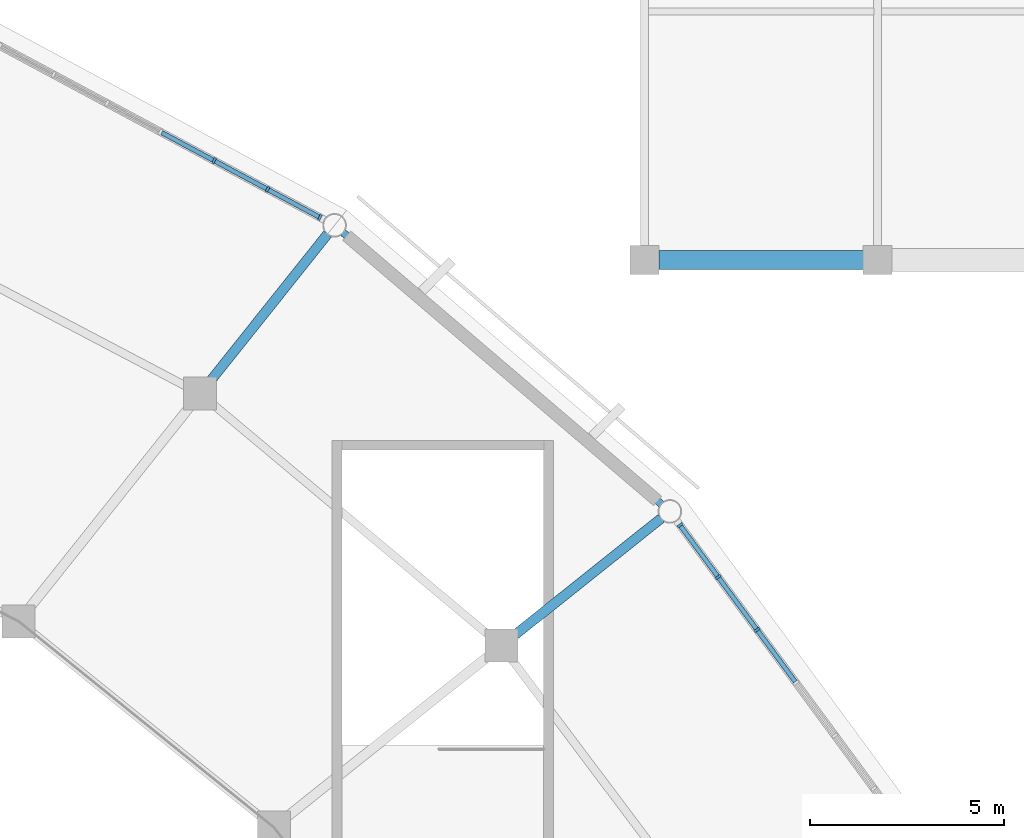
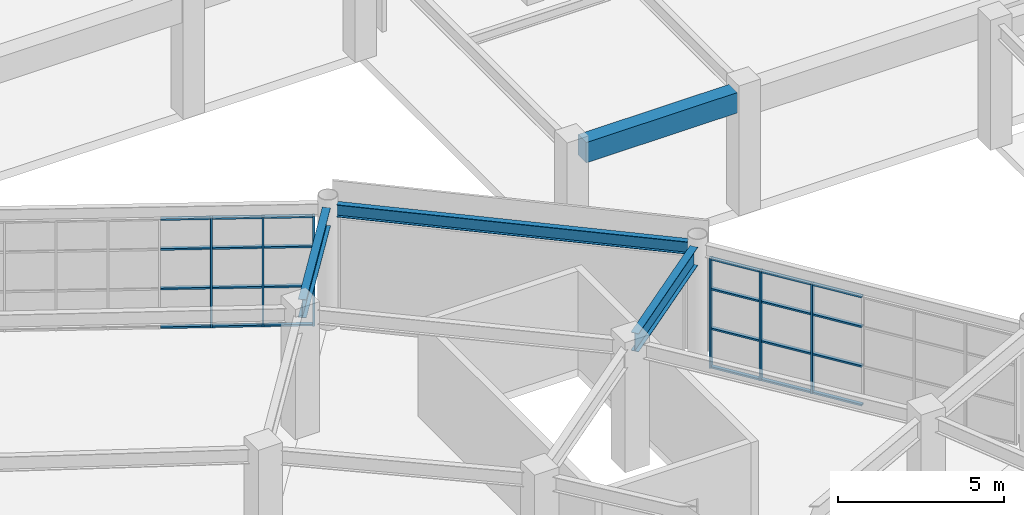
# One storey, part 49 of 112: 30 members, 4 beams, 2 elements without a shape of their own.
"""IFC4 building model written with IfcOpenShell, lengths in metres."""

from ifc_helpers import new_model, si_unit, direction, frame, origin, origin_2d, place, context, subcontext, project, spatial, rectangle, i_section, extrude, material, material_profile, profile_set, type_object, element, aggregate, save


model = new_model("IFC4")

# Units and contexts
model_context = context("Model", 3, precision=1e-05, world=origin(), true_north=direction((0.0, 1.0)))
body_context = subcontext(model_context, "Body", "Model", "MODEL_VIEW")
ifc_project = project(units=[si_unit("LENGTHUNIT", "METRE"), si_unit("AREAUNIT", "SQUARE_METRE"), si_unit("VOLUMEUNIT", "CUBIC_METRE"), si_unit("PLANEANGLEUNIT", "RADIAN"), si_unit("MASSUNIT", "GRAM", prefix="KILO")], contexts=[model_context])

# Site, building, storey
site_placement = place(None, origin())
site = spatial("IfcSite", under=ifc_project, at=site_placement, CompositionType="ELEMENT")
building_placement = place(site_placement, origin())
building = spatial("IfcBuilding", under=site, at=building_placement, Name="Cuetzalor Civic Arena", CompositionType="ELEMENT")
storey_placement = place(building_placement, frame((0.0, 0.0, 11.39990234375)))
storey = spatial("IfcBuildingStorey", under=building, at=storey_placement, Name="L02", CompositionType="ELEMENT", Elevation=11.39990234375)

# Beam
ifc_material_1 = material(Name="Concrete C40/50", Category="concrete")
ifc_material_profile_1 = material_profile(ifc_material_1, rectangle(XDim=0.5, YDim=0.75, at=origin_2d()), Name="RC 500x750")
ifc_profile_set_1 = profile_set([ifc_material_profile_1], Name="Concrete C40/50")
beam_type_1 = type_object("IfcBeamType", Name="ConcreteFrameBeam_500x750", PredefinedType="BEAM", material=ifc_profile_set_1)
beam_1_placement = place(storey_placement, frame((42.364990234375, 35.5, 4.10498046875), z_axis=(1.0, 0.0, 0.0), x_axis=(0.0, 1.0, 0.0)))
element("IfcBeam", 1, at=beam_1_placement, inside=storey, type_object=beam_type_1, Name="Frame Girder V5-L02-X0781", PredefinedType="BEAM", context=body_context, shape_type="SweptSolid", body=[
    extrude(rectangle(XDim=0.5, YDim=0.75, at=origin_2d()), origin(), (0.0, 0.0, 1.0), 5.27001953125),
])

# Curtain wall, members
ifc_material_2 = material(Name="Anodised dark bronze aluminium and low-E solar glass", Category="aluminium")
curtain_wall_type_1 = type_object("IfcCurtainWallType", Name="UnitisedCW_10150x4050", PredefinedType="USERDEFINED", material=ifc_material_2)
curtain_wall_1_placement = place(storey_placement, origin())
curtain_wall_1 = element("IfcCurtainWall", 2, at=curtain_wall_1_placement, inside=storey, type_object=curtain_wall_type_1, Name="Drum Triangle Foyer Curtain Wall L02-033", ObjectType="UNITISED CURTAIN WALL", PredefinedType="USERDEFINED")
ifc_material_3 = material(Name="Anodised dark bronze aluminium", Category="aluminium")
ifc_material_profile_2 = material_profile(ifc_material_3, rectangle(XDim=0.06494140625, YDim=0.14990234375, at=origin_2d()), Name="ALU MULLION 65x150")
ifc_profile_set_2 = profile_set([ifc_material_profile_2], Name="Anodised dark bronze aluminium")
member_type_1 = type_object("IfcMemberType", Name="CurtainWallMullion_60x150", PredefinedType="MULLION", material=ifc_profile_set_2)
member_1_placement = place(storey_placement, frame((42.910400390625, 28.66845703125, 0.0), z_axis=(0.0, 0.0, 1.0), x_axis=(0.59292931222, -0.805254513002, 0.0)))
member_1 = element("IfcMember", 3, at=member_1_placement, type_object=member_type_1, Name="CW-12 mullion 1", PredefinedType="MULLION", context=body_context, shape_type="SweptSolid", body=[
    extrude(rectangle(XDim=0.06494140625, YDim=0.14990234375, at=origin_2d()), origin(), (0.0, 0.0, 1.0), 4.052978515625),
])
member_2_placement = place(storey_placement, frame((43.8935546875, 27.333251953125, 0.0), z_axis=(0.0, 0.0, 1.0), x_axis=(0.59292931222, -0.805254513002, 0.0)))
member_2 = element("IfcMember", 4, at=member_2_placement, type_object=member_type_1, Name="CW-12 mullion 2", PredefinedType="MULLION", context=body_context, shape_type="SweptSolid", body=[
    extrude(rectangle(XDim=0.06494140625, YDim=0.14990234375, at=origin_2d()), origin(), (0.0, 0.0, 1.0), 4.052978515625),
])
member_3_placement = place(storey_placement, frame((44.89599609375, 25.9716796875, 0.0), z_axis=(0.0, 0.0, 1.0), x_axis=(0.59292931222, -0.805254513002, 0.0)))
member_3 = element("IfcMember", 5, at=member_3_placement, type_object=member_type_1, Name="CW-12 mullion 3", PredefinedType="MULLION", context=body_context, shape_type="SweptSolid", body=[
    extrude(rectangle(XDim=0.06494140625, YDim=0.14990234375, at=origin_2d()), origin(), (0.0, 0.0, 1.0), 4.052978515625),
])

ifc_material_4 = material(Name="Anodised dark bronze aluminium and low-E solar glass", Category="aluminium")
curtain_wall_type_2 = type_object("IfcCurtainWallType", Name="UnitisedCW_10950x4050", PredefinedType="USERDEFINED", material=ifc_material_4)
curtain_wall_2_placement = place(storey_placement, origin())
curtain_wall_2 = element("IfcCurtainWall", 6, at=curtain_wall_2_placement, inside=storey, type_object=curtain_wall_type_2, Name="Drum Triangle Foyer Curtain Wall L02-034", ObjectType="UNITISED CURTAIN WALL", PredefinedType="USERDEFINED")
member_4_placement = place(storey_placement, frame((30.9072265625, 38.058837890625, 0.0), z_axis=(0.0, 0.0, 1.0), x_axis=(0.881306344124, -0.472545371163, 0.0)))
member_4 = element("IfcMember", 7, at=member_4_placement, type_object=member_type_1, Name="CW-13 mullion 6", PredefinedType="MULLION", context=body_context, shape_type="SweptSolid", body=[
    extrude(rectangle(XDim=0.06494140625, YDim=0.14990234375, at=origin_2d()), origin(), (0.0, 0.0, 1.0), 4.052978515625),
])
member_5_placement = place(storey_placement, frame((32.28515625, 37.31982421875, 0.0), z_axis=(0.0, 0.0, 1.0), x_axis=(0.881306344124, -0.472545371163, 0.0)))
member_5 = element("IfcMember", 8, at=member_5_placement, type_object=member_type_1, Name="CW-13 mullion 7", PredefinedType="MULLION", context=body_context, shape_type="SweptSolid", body=[
    extrude(rectangle(XDim=0.06494140625, YDim=0.14990234375, at=origin_2d()), origin(), (0.0, 0.0, 1.0), 4.052978515625),
])
member_6_placement = place(storey_placement, frame((33.634765625, 36.59619140625, 0.0), z_axis=(0.0, 0.0, 1.0), x_axis=(0.881306344124, -0.472545371163, 0.0)))
member_6 = element("IfcMember", 9, at=member_6_placement, type_object=member_type_1, Name="CW-13 mullion 8", PredefinedType="MULLION", context=body_context, shape_type="SweptSolid", body=[
    extrude(rectangle(XDim=0.06494140625, YDim=0.14990234375, at=origin_2d()), origin(), (0.0, 0.0, 1.0), 4.052978515625),
])

# Member
ifc_material_5 = material(Name="Anodised dark bronze aluminium", Category="aluminium")
ifc_material_profile_3 = material_profile(ifc_material_5, rectangle(XDim=0.1201171875, YDim=0.06494140625, at=origin_2d()), Name="ALU TRANSOM 65x120")
ifc_profile_set_3 = profile_set([ifc_material_profile_3], Name="Anodised dark bronze aluminium")
member_type_2 = type_object("IfcMemberType", Name="CurtainWallTransom_60x120", PredefinedType="USERDEFINED", material=ifc_profile_set_3)
member_7_placement = place(storey_placement, frame((42.9296875, 28.642333984375, 0.03271484375), z_axis=(0.59289058609, -0.805283026597, 0.0), x_axis=(0.805283026597, 0.59289058609, 0.0)))
member_7 = element("IfcMember", 10, at=member_7_placement, type_object=member_type_2, Name="CW-12 transom 1.1", ObjectType="TRANSOM", PredefinedType="USERDEFINED", context=body_context, shape_type="SweptSolid", body=[
    extrude(rectangle(XDim=0.1201171875, YDim=0.06494140625, at=origin_2d()), origin(), (0.0, 0.0, 1.0), 1.59326171875),
])

member_8_placement = place(storey_placement, frame((42.9296875, 28.642333984375, 1.458984375), z_axis=(0.59289058609, -0.805283026597, 0.0), x_axis=(0.805283026597, 0.59289058609, 0.0)))
member_8 = element("IfcMember", 11, at=member_8_placement, type_object=member_type_2, Name="CW-12 transom 1.2", ObjectType="TRANSOM", PredefinedType="USERDEFINED", context=body_context, shape_type="SweptSolid", body=[
    extrude(rectangle(XDim=0.1201171875, YDim=0.06494140625, at=origin_2d()), origin(), (0.0, 0.0, 1.0), 1.59326171875),
])

member_9_placement = place(storey_placement, frame((42.9296875, 28.642333984375, 2.918212890625), z_axis=(0.59289058609, -0.805283026597, 0.0), x_axis=(0.805283026597, 0.59289058609, 0.0)))
member_9 = element("IfcMember", 12, at=member_9_placement, type_object=member_type_2, Name="CW-12 transom 1.3", ObjectType="TRANSOM", PredefinedType="USERDEFINED", context=body_context, shape_type="SweptSolid", body=[
    extrude(rectangle(XDim=0.1201171875, YDim=0.06494140625, at=origin_2d()), origin(), (0.0, 0.0, 1.0), 1.59326171875),
])

member_10_placement = place(storey_placement, frame((42.9296875, 28.642333984375, 4.0205078125), z_axis=(0.59289058609, -0.805283026597, 0.0), x_axis=(0.805283026597, 0.59289058609, 0.0)))
member_10 = element("IfcMember", 13, at=member_10_placement, type_object=member_type_2, Name="CW-12 transom 1.4", ObjectType="TRANSOM", PredefinedType="USERDEFINED", context=body_context, shape_type="SweptSolid", body=[
    extrude(rectangle(XDim=0.1201171875, YDim=0.06494140625, at=origin_2d()), origin(), (0.0, 0.0, 1.0), 1.59326171875),
])

member_11_placement = place(storey_placement, frame((43.912841796875, 27.30712890625, 0.03271484375), z_axis=(0.592912120819, -0.805267171183, 0.0), x_axis=(0.805267171183, 0.592912120819, 0.0)))
member_11 = element("IfcMember", 14, at=member_11_placement, type_object=member_type_2, Name="CW-12 transom 2.1", ObjectType="TRANSOM", PredefinedType="USERDEFINED", context=body_context, shape_type="SweptSolid", body=[
    extrude(rectangle(XDim=0.1201171875, YDim=0.06494140625, at=origin_2d()), origin(), (0.0, 0.0, 1.0), 1.625732421875),
])

member_12_placement = place(storey_placement, frame((43.912841796875, 27.30712890625, 1.458984375), z_axis=(0.592912120819, -0.805267171183, 0.0), x_axis=(0.805267171183, 0.592912120819, 0.0)))
member_12 = element("IfcMember", 15, at=member_12_placement, type_object=member_type_2, Name="CW-12 transom 2.2", ObjectType="TRANSOM", PredefinedType="USERDEFINED", context=body_context, shape_type="SweptSolid", body=[
    extrude(rectangle(XDim=0.1201171875, YDim=0.06494140625, at=origin_2d()), origin(), (0.0, 0.0, 1.0), 1.625732421875),
])

member_13_placement = place(storey_placement, frame((43.912841796875, 27.30712890625, 2.918212890625), z_axis=(0.592912120819, -0.805267171183, 0.0), x_axis=(0.805267171183, 0.592912120819, 0.0)))
member_13 = element("IfcMember", 16, at=member_13_placement, type_object=member_type_2, Name="CW-12 transom 2.3", ObjectType="TRANSOM", PredefinedType="USERDEFINED", context=body_context, shape_type="SweptSolid", body=[
    extrude(rectangle(XDim=0.1201171875, YDim=0.06494140625, at=origin_2d()), origin(), (0.0, 0.0, 1.0), 1.625732421875),
])

member_14_placement = place(storey_placement, frame((43.912841796875, 27.30712890625, 4.0205078125), z_axis=(0.592912120819, -0.805267171183, 0.0), x_axis=(0.805267171183, 0.592912120819, 0.0)))
member_14 = element("IfcMember", 17, at=member_14_placement, type_object=member_type_2, Name="CW-12 transom 2.4", ObjectType="TRANSOM", PredefinedType="USERDEFINED", context=body_context, shape_type="SweptSolid", body=[
    extrude(rectangle(XDim=0.1201171875, YDim=0.06494140625, at=origin_2d()), origin(), (0.0, 0.0, 1.0), 1.625732421875),
])

member_15_placement = place(storey_placement, frame((44.915283203125, 25.945556640625, 0.03271484375), z_axis=(0.592912120819, -0.805267171183, 0.0), x_axis=(0.805267171183, 0.592912120819, 0.0)))
member_15 = element("IfcMember", 18, at=member_15_placement, type_object=member_type_2, Name="CW-12 transom 3.1", ObjectType="TRANSOM", PredefinedType="USERDEFINED", context=body_context, shape_type="SweptSolid", body=[
    extrude(rectangle(XDim=0.1201171875, YDim=0.06494140625, at=origin_2d()), origin(), (0.0, 0.0, 1.0), 1.625732421875),
])

member_16_placement = place(storey_placement, frame((44.915283203125, 25.945556640625, 1.458984375), z_axis=(0.592912120819, -0.805267171183, 0.0), x_axis=(0.805267171183, 0.592912120819, 0.0)))
member_16 = element("IfcMember", 19, at=member_16_placement, type_object=member_type_2, Name="CW-12 transom 3.2", ObjectType="TRANSOM", PredefinedType="USERDEFINED", context=body_context, shape_type="SweptSolid", body=[
    extrude(rectangle(XDim=0.1201171875, YDim=0.06494140625, at=origin_2d()), origin(), (0.0, 0.0, 1.0), 1.625732421875),
])

member_17_placement = place(storey_placement, frame((44.915283203125, 25.945556640625, 2.918212890625), z_axis=(0.592912120819, -0.805267171183, 0.0), x_axis=(0.805267171183, 0.592912120819, 0.0)))
member_17 = element("IfcMember", 20, at=member_17_placement, type_object=member_type_2, Name="CW-12 transom 3.3", ObjectType="TRANSOM", PredefinedType="USERDEFINED", context=body_context, shape_type="SweptSolid", body=[
    extrude(rectangle(XDim=0.1201171875, YDim=0.06494140625, at=origin_2d()), origin(), (0.0, 0.0, 1.0), 1.625732421875),
])

member_18_placement = place(storey_placement, frame((44.915283203125, 25.945556640625, 4.0205078125), z_axis=(0.592912120819, -0.805267171183, 0.0), x_axis=(0.805267171183, 0.592912120819, 0.0)))
member_18 = element("IfcMember", 21, at=member_18_placement, type_object=member_type_2, Name="CW-12 transom 3.4", ObjectType="TRANSOM", PredefinedType="USERDEFINED", context=body_context, shape_type="SweptSolid", body=[
    extrude(rectangle(XDim=0.1201171875, YDim=0.06494140625, at=origin_2d()), origin(), (0.0, 0.0, 1.0), 1.625732421875),
])

aggregate(curtain_wall_1, [member_1, member_2, member_3, member_7, member_8, member_9, member_10, member_11, member_12, member_13, member_14, member_15, member_16, member_17, member_18])

member_19_placement = place(storey_placement, frame((29.5576171875, 38.782470703125, 0.03271484375), z_axis=(0.881291006113, -0.472573975737, 0.0), x_axis=(0.472573975737, 0.881291006113, 0.0)))
member_19 = element("IfcMember", 22, at=member_19_placement, type_object=member_type_2, Name="CW-13 transom 5.1", ObjectType="TRANSOM", PredefinedType="USERDEFINED", context=body_context, shape_type="SweptSolid", body=[
    extrude(rectangle(XDim=0.1201171875, YDim=0.06494140625, at=origin_2d()), origin(), (0.0, 0.0, 1.0), 1.498779296875),
])

member_20_placement = place(storey_placement, frame((29.5576171875, 38.782470703125, 1.458984375), z_axis=(0.881291006113, -0.472573975737, 0.0), x_axis=(0.472573975737, 0.881291006113, 0.0)))
member_20 = element("IfcMember", 23, at=member_20_placement, type_object=member_type_2, Name="CW-13 transom 5.2", ObjectType="TRANSOM", PredefinedType="USERDEFINED", context=body_context, shape_type="SweptSolid", body=[
    extrude(rectangle(XDim=0.1201171875, YDim=0.06494140625, at=origin_2d()), origin(), (0.0, 0.0, 1.0), 1.498779296875),
])

member_21_placement = place(storey_placement, frame((29.5576171875, 38.782470703125, 2.918212890625), z_axis=(0.881291006113, -0.472573975737, 0.0), x_axis=(0.472573975737, 0.881291006113, 0.0)))
member_21 = element("IfcMember", 24, at=member_21_placement, type_object=member_type_2, Name="CW-13 transom 5.3", ObjectType="TRANSOM", PredefinedType="USERDEFINED", context=body_context, shape_type="SweptSolid", body=[
    extrude(rectangle(XDim=0.1201171875, YDim=0.06494140625, at=origin_2d()), origin(), (0.0, 0.0, 1.0), 1.498779296875),
])

member_22_placement = place(storey_placement, frame((29.5576171875, 38.782470703125, 4.0205078125), z_axis=(0.881291006113, -0.472573975737, 0.0), x_axis=(0.472573975737, 0.881291006113, 0.0)))
member_22 = element("IfcMember", 25, at=member_22_placement, type_object=member_type_2, Name="CW-13 transom 5.4", ObjectType="TRANSOM", PredefinedType="USERDEFINED", context=body_context, shape_type="SweptSolid", body=[
    extrude(rectangle(XDim=0.1201171875, YDim=0.06494140625, at=origin_2d()), origin(), (0.0, 0.0, 1.0), 1.498779296875),
])

member_23_placement = place(storey_placement, frame((30.935791015625, 38.04345703125, 0.03271484375), z_axis=(0.881291006113, -0.472573975737, 0.0), x_axis=(0.472573975737, 0.881291006113, 0.0)))
member_23 = element("IfcMember", 26, at=member_23_placement, type_object=member_type_2, Name="CW-13 transom 6.1", ObjectType="TRANSOM", PredefinedType="USERDEFINED", context=body_context, shape_type="SweptSolid", body=[
    extrude(rectangle(XDim=0.1201171875, YDim=0.06494140625, at=origin_2d()), origin(), (0.0, 0.0, 1.0), 1.498779296875),
])

member_24_placement = place(storey_placement, frame((30.935791015625, 38.04345703125, 1.458984375), z_axis=(0.881291006113, -0.472573975737, 0.0), x_axis=(0.472573975737, 0.881291006113, 0.0)))
member_24 = element("IfcMember", 27, at=member_24_placement, type_object=member_type_2, Name="CW-13 transom 6.2", ObjectType="TRANSOM", PredefinedType="USERDEFINED", context=body_context, shape_type="SweptSolid", body=[
    extrude(rectangle(XDim=0.1201171875, YDim=0.06494140625, at=origin_2d()), origin(), (0.0, 0.0, 1.0), 1.498779296875),
])

member_25_placement = place(storey_placement, frame((30.935791015625, 38.04345703125, 2.918212890625), z_axis=(0.881291006113, -0.472573975737, 0.0), x_axis=(0.472573975737, 0.881291006113, 0.0)))
member_25 = element("IfcMember", 28, at=member_25_placement, type_object=member_type_2, Name="CW-13 transom 6.3", ObjectType="TRANSOM", PredefinedType="USERDEFINED", context=body_context, shape_type="SweptSolid", body=[
    extrude(rectangle(XDim=0.1201171875, YDim=0.06494140625, at=origin_2d()), origin(), (0.0, 0.0, 1.0), 1.498779296875),
])

member_26_placement = place(storey_placement, frame((30.935791015625, 38.04345703125, 4.0205078125), z_axis=(0.881291006113, -0.472573975737, 0.0), x_axis=(0.472573975737, 0.881291006113, 0.0)))
member_26 = element("IfcMember", 29, at=member_26_placement, type_object=member_type_2, Name="CW-13 transom 6.4", ObjectType="TRANSOM", PredefinedType="USERDEFINED", context=body_context, shape_type="SweptSolid", body=[
    extrude(rectangle(XDim=0.1201171875, YDim=0.06494140625, at=origin_2d()), origin(), (0.0, 0.0, 1.0), 1.498779296875),
])

member_27_placement = place(storey_placement, frame((32.31396484375, 37.304443359375, 0.03271484375), z_axis=(0.881309117216, -0.472540199255, 0.0), x_axis=(0.472540199255, 0.881309117216, 0.0)))
member_27 = element("IfcMember", 30, at=member_27_placement, type_object=member_type_2, Name="CW-13 transom 7.1", ObjectType="TRANSOM", PredefinedType="USERDEFINED", context=body_context, shape_type="SweptSolid", body=[
    extrude(rectangle(XDim=0.1201171875, YDim=0.06494140625, at=origin_2d()), origin(), (0.0, 0.0, 1.0), 1.46630859375),
])

member_28_placement = place(storey_placement, frame((32.31396484375, 37.304443359375, 1.458984375), z_axis=(0.881309117216, -0.472540199255, 0.0), x_axis=(0.472540199255, 0.881309117216, 0.0)))
member_28 = element("IfcMember", 31, at=member_28_placement, type_object=member_type_2, Name="CW-13 transom 7.2", ObjectType="TRANSOM", PredefinedType="USERDEFINED", context=body_context, shape_type="SweptSolid", body=[
    extrude(rectangle(XDim=0.1201171875, YDim=0.06494140625, at=origin_2d()), origin(), (0.0, 0.0, 1.0), 1.46630859375),
])

member_29_placement = place(storey_placement, frame((32.31396484375, 37.304443359375, 2.918212890625), z_axis=(0.881309117216, -0.472540199255, 0.0), x_axis=(0.472540199255, 0.881309117216, 0.0)))
member_29 = element("IfcMember", 32, at=member_29_placement, type_object=member_type_2, Name="CW-13 transom 7.3", ObjectType="TRANSOM", PredefinedType="USERDEFINED", context=body_context, shape_type="SweptSolid", body=[
    extrude(rectangle(XDim=0.1201171875, YDim=0.06494140625, at=origin_2d()), origin(), (0.0, 0.0, 1.0), 1.46630859375),
])

member_30_placement = place(storey_placement, frame((32.31396484375, 37.304443359375, 4.0205078125), z_axis=(0.881309117216, -0.472540199255, 0.0), x_axis=(0.472540199255, 0.881309117216, 0.0)))
member_30 = element("IfcMember", 33, at=member_30_placement, type_object=member_type_2, Name="CW-13 transom 7.4", ObjectType="TRANSOM", PredefinedType="USERDEFINED", context=body_context, shape_type="SweptSolid", body=[
    extrude(rectangle(XDim=0.1201171875, YDim=0.06494140625, at=origin_2d()), origin(), (0.0, 0.0, 1.0), 1.46630859375),
])

aggregate(curtain_wall_2, [member_4, member_5, member_6, member_19, member_20, member_21, member_22, member_23, member_24, member_25, member_26, member_27, member_28, member_29, member_30])

# Beams
ifc_material_6 = material(Name="Steel S355", Category="steel")
ifc_material_profile_4 = material_profile(ifc_material_6, i_section(OverallWidth=0.18994140625, OverallDepth=0.45703125, WebThickness=0.009033203125, FlangeThickness=0.014404296875, at=origin_2d()), Name="W460x74")
ifc_profile_set_4 = profile_set([ifc_material_profile_4], Name="Steel S355")
beam_type_2 = type_object("IfcBeamType", Name="FacadeSpandrelBeam_W460", PredefinedType="SPANDREL", material=ifc_profile_set_4)
beam_2_placement = place(storey_placement, frame((42.42822265625, 29.211669921875, 4.29150390625), z_axis=(-0.760676650628, 0.649130983076, 0.0), x_axis=(-0.649130983076, -0.760676650628, 0.0)))
element("IfcBeam", 34, at=beam_2_placement, inside=storey, type_object=beam_type_2, Name="Drum Perimeter Spandrel L02-S04", PredefinedType="SPANDREL", context=body_context, shape_type="SweptSolid", body=[
    extrude(i_section(OverallWidth=0.18994140625, OverallDepth=0.45703125, WebThickness=0.009033203125, FlangeThickness=0.014404296875, at=origin_2d()), origin(), (0.0, 0.0, 1.0), 10.77490234375),
])
ifc_material_7 = material(Name="Steel S355", Category="steel")
ifc_material_profile_5 = material_profile(ifc_material_7, i_section(OverallWidth=0.2529296875, OverallDepth=0.677978515625, WebThickness=0.01171875, FlangeThickness=0.016357421875, at=origin_2d()), Name="W690x125")
ifc_profile_set_5 = profile_set([ifc_material_profile_5], Name="Steel S355")
beam_type_3 = type_object("IfcBeamType", Name="SteelPrimaryGirder_W690", PredefinedType="BEAM", material=ifc_profile_set_5)
for number, where, z_axis, x_axis, name in (
    (35, (38.59130859375, 25.78759765625, 4.18115234375), (0.781810957258, 0.623515538789, 0.0), (-0.623515538789, 0.781810957258, 0.0), "Drum Radial Girder L02-R04"),
    (36, (30.775390625, 32.336669921875, 4.18115234375), (0.623515538789, 0.781810957258, 0.0), (-0.781810957258, 0.623515538789, 0.0), "Drum Radial Girder L02-R05"),
):
    element("IfcBeam", number, at=place(storey_placement, frame(where, z_axis=z_axis, x_axis=x_axis)), inside=storey, type_object=beam_type_3, Name=name, PredefinedType="BEAM", context=body_context, shape_type="SweptSolid", body=[
        extrude(i_section(OverallWidth=0.2529296875, OverallDepth=0.677978515625, WebThickness=0.01171875, FlangeThickness=0.016357421875, at=origin_2d()), origin(), (0.0, 0.0, 1.0), 4.89990234375),
    ])

save(model, "model.ifc")
